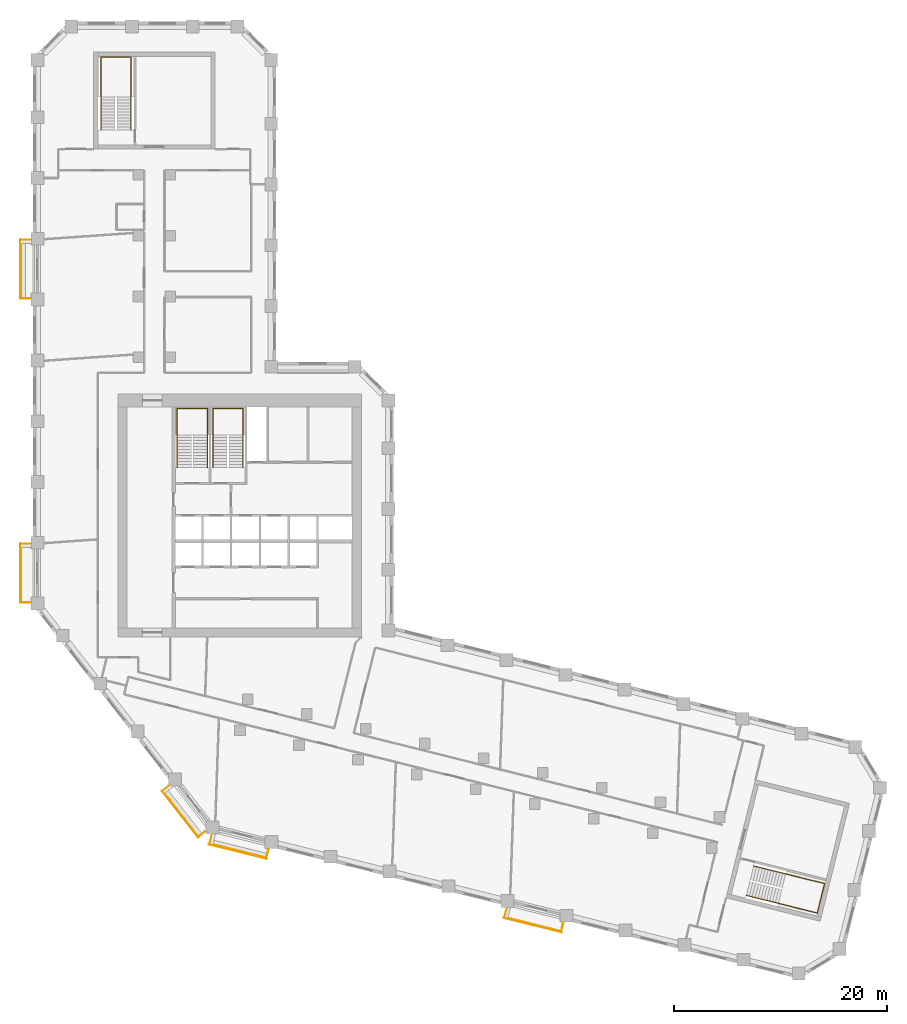
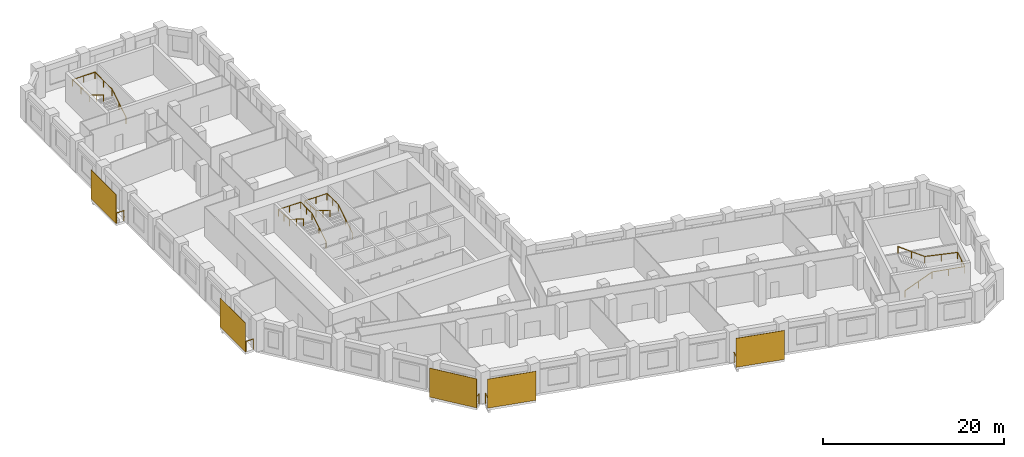
# One storey, part 10 of 10: 9 railings, 5 shading devices.
"""IFC4 building model written with IfcOpenShell, lengths in metres."""

from ifc_helpers import new_model, si_unit, direction, frame, origin, origin_2d, place, context, subcontext, project, spatial, rectangle, circle, extrude, material, layer, layer_set, type_object, element, save


model = new_model("IFC4")

# Units and contexts
model_context = context("Model", 3, precision=1e-05, world=origin(), true_north=direction((0.0, 1.0)))
body_context = subcontext(model_context, "Body", "Model", "MODEL_VIEW")
ifc_project = project(units=[si_unit("LENGTHUNIT", "METRE"), si_unit("AREAUNIT", "SQUARE_METRE"), si_unit("VOLUMEUNIT", "CUBIC_METRE"), si_unit("PLANEANGLEUNIT", "RADIAN"), si_unit("MASSUNIT", "GRAM", prefix="KILO")], contexts=[model_context])

# Site, building, storey
site_placement = place(None, origin())
site = spatial("IfcSite", under=ifc_project, at=site_placement, CompositionType="ELEMENT")
building_placement = place(site_placement, origin())
building = spatial("IfcBuilding", under=site, at=building_placement, Name="Meshkara Civic Tower", CompositionType="ELEMENT")
storey_placement = place(building_placement, frame((0.0, 0.0, 169.800048828125)))
storey = spatial("IfcBuildingStorey", under=building, at=storey_placement, Name="L38", CompositionType="ELEMENT", Elevation=169.800048828125)

# Railings
ifc_material_1 = material(Name="Steel S355", Category="steel")
railing_type_1 = type_object("IfcRailingType", Name="BALUSTRADE GUARD 1400", PredefinedType="BALUSTRADE", material=ifc_material_1)
for number, where, name in (
    (1, (-0.14990234375, 51.3349609375, 0.0), "Balcony guard"),
    (2, (-0.14990234375, 22.8349609375, 0.0), "Balcony guard"),
):
    element("IfcRailing", number, at=place(storey_placement, frame(where)), inside=storey, type_object=railing_type_1, Name=name, PredefinedType="BALUSTRADE", context=body_context, shape_type="SweptSolid", body=[
        extrude(circle(Radius=0.02392578125, at=origin_2d()), frame((0.0, 0.0, 1.3759765625), z_axis=(-1.0, 0.0, 0.0), x_axis=(0.0, -1.0, 0.0)), (0.0, 0.0, 1.0), 0.960205078125),
        extrude(circle(Radius=0.02392578125, at=origin_2d()), frame((-0.960205078125, 0.0, 1.3759765625), z_axis=(0.0, -1.0, 0.0), x_axis=(1.0, 0.0, 0.0)), (0.0, 0.0, 1.0), 5.4599609375),
        extrude(circle(Radius=0.02392578125, at=origin_2d()), frame((-0.960205078125, -5.4599609375, 1.3759765625), z_axis=(1.0, 0.0, 0.0), x_axis=(0.0, 1.0, 0.0)), (0.0, 0.0, 1.0), 0.960205078125),
        extrude(circle(Radius=0.02099609375, at=origin_2d()), origin(), (0.0, 0.0, 1.0), 1.351806640625),
        extrude(circle(Radius=0.02099609375, at=origin_2d()), frame((-0.960205078125, 0.0, 0.0)), (0.0, 0.0, 1.0), 1.351806640625),
        extrude(circle(Radius=0.02099609375, at=origin_2d()), frame((-0.960205078125, -1.092041015625, 0.0)), (0.0, 0.0, 1.0), 1.351806640625),
        extrude(circle(Radius=0.02099609375, at=origin_2d()), frame((-0.960205078125, -2.18408203125, 0.0)), (0.0, 0.0, 1.0), 1.351806640625),
        extrude(circle(Radius=0.02099609375, at=origin_2d()), frame((-0.960205078125, -3.27587890625, 0.0)), (0.0, 0.0, 1.0), 1.351806640625),
        extrude(circle(Radius=0.02099609375, at=origin_2d()), frame((-0.960205078125, -4.367919921875, 0.0)), (0.0, 0.0, 1.0), 1.351806640625),
        extrude(circle(Radius=0.02099609375, at=origin_2d()), frame((-0.960205078125, -5.4599609375, 0.0)), (0.0, 0.0, 1.0), 1.351806640625),
        extrude(circle(Radius=0.02099609375, at=origin_2d()), frame((0.0, -5.4599609375, 0.0)), (0.0, 0.0, 1.0), 1.351806640625),
    ])
railing_1_placement = place(storey_placement, frame((12.751953125, 0.14111328125, 0.0)))
element("IfcRailing", 3, at=railing_1_placement, inside=storey, type_object=railing_type_1, Name="Balcony guard", PredefinedType="BALUSTRADE", context=body_context, shape_type="SweptSolid", body=[
    extrude(circle(Radius=0.02392578125, at=origin_2d()), frame((0.0, 0.0, 1.3759765625), z_axis=(-0.788014065721, -0.615657235989, 0.0), x_axis=(0.615657235989, -0.788014065721, 0.0)), (0.0, 0.0, 1.0), 0.71826171875),
    extrude(circle(Radius=0.02392578125, at=origin_2d()), frame((-0.56591796875, -0.442138671875, 1.3759765625), z_axis=(0.615684818606, -0.787992515281, 0.0), x_axis=(0.787992515281, 0.615684818606, 0.0)), (0.0, 0.0, 1.0), 5.460693359375),
    extrude(circle(Radius=0.02392578125, at=origin_2d()), frame((2.796142578125, -4.7451171875, 1.3759765625), z_axis=(0.788178999613, 0.615446069586, 0.0), x_axis=(-0.615446069586, 0.788178999613, 0.0)), (0.0, 0.0, 1.0), 0.718017578125),
    extrude(circle(Radius=0.02099609375, at=origin_2d()), origin(), (0.0, 0.0, 1.0), 1.351806640625),
    extrude(circle(Radius=0.02099609375, at=origin_2d()), frame((-0.56591796875, -0.442138671875, 0.0)), (0.0, 0.0, 1.0), 1.351806640625),
    extrude(circle(Radius=0.02099609375, at=origin_2d()), frame((0.1064453125, -1.302734375, 0.0)), (0.0, 0.0, 1.0), 1.351806640625),
    extrude(circle(Radius=0.02099609375, at=origin_2d()), frame((0.77880859375, -2.163330078125, 0.0)), (0.0, 0.0, 1.0), 1.351806640625),
    extrude(circle(Radius=0.02099609375, at=origin_2d()), frame((1.451416015625, -3.02392578125, 0.0)), (0.0, 0.0, 1.0), 1.351806640625),
    extrude(circle(Radius=0.02099609375, at=origin_2d()), frame((2.123779296875, -3.884521484375, 0.0)), (0.0, 0.0, 1.0), 1.351806640625),
    extrude(circle(Radius=0.02099609375, at=origin_2d()), frame((2.796142578125, -4.7451171875, 0.0)), (0.0, 0.0, 1.0), 1.351806640625),
    extrude(circle(Radius=0.02099609375, at=origin_2d()), frame((3.362060546875, -4.30322265625, 0.0)), (0.0, 0.0, 1.0), 1.351806640625),
])
railing_2_placement = place(storey_placement, frame((16.7919921875, -4.472900390625, 0.0)))
element("IfcRailing", 4, at=railing_2_placement, inside=storey, type_object=railing_type_1, Name="Balcony guard", PredefinedType="BALUSTRADE", context=body_context, shape_type="SweptSolid", body=[
    extrude(circle(Radius=0.02392578125, at=origin_2d()), frame((0.0, 0.0, 1.3759765625), z_axis=(-0.242397690902, -0.970176973261, 0.0), x_axis=(0.970176973261, -0.242397690902, 0.0)), (0.0, 0.0, 1.0), 0.8330078125),
    extrude(circle(Radius=0.02392578125, at=origin_2d()), frame((-0.201904296875, -0.80810546875, 1.3759765625), z_axis=(0.9703315887, -0.241778013829, 0.0), x_axis=(0.241778013829, 0.9703315887, 0.0)), (0.0, 0.0, 1.0), 5.459716796875),
    extrude(circle(Radius=0.02392578125, at=origin_2d()), frame((5.095947265625, -2.128173828125, 1.3759765625), z_axis=(0.242673544463, 0.970108009872, 0.0), x_axis=(-0.970108009872, 0.242673544463, 0.0)), (0.0, 0.0, 1.0), 0.8330078125),
    extrude(circle(Radius=0.02099609375, at=origin_2d()), origin(), (0.0, 0.0, 1.0), 1.351806640625),
    extrude(circle(Radius=0.02099609375, at=origin_2d()), frame((-0.201904296875, -0.80810546875, 0.0)), (0.0, 0.0, 1.0), 1.351806640625),
    extrude(circle(Radius=0.02099609375, at=origin_2d()), frame((0.857666015625, -1.072021484375, 0.0)), (0.0, 0.0, 1.0), 1.351806640625),
    extrude(circle(Radius=0.02099609375, at=origin_2d()), frame((1.917236328125, -1.336181640625, 0.0)), (0.0, 0.0, 1.0), 1.351806640625),
    extrude(circle(Radius=0.02099609375, at=origin_2d()), frame((2.976806640625, -1.60009765625, 0.0)), (0.0, 0.0, 1.0), 1.351806640625),
    extrude(circle(Radius=0.02099609375, at=origin_2d()), frame((4.036376953125, -1.8642578125, 0.0)), (0.0, 0.0, 1.0), 1.351806640625),
    extrude(circle(Radius=0.02099609375, at=origin_2d()), frame((5.095947265625, -2.128173828125, 0.0)), (0.0, 0.0, 1.0), 1.351806640625),
    extrude(circle(Radius=0.02099609375, at=origin_2d()), frame((5.298095703125, -1.320068359375, 0.0)), (0.0, 0.0, 1.0), 1.351806640625),
])
railing_3_placement = place(storey_placement, frame((44.445068359375, -11.366943359375, 0.0)))
element("IfcRailing", 5, at=railing_3_placement, inside=storey, type_object=railing_type_1, Name="Balcony guard", PredefinedType="BALUSTRADE", context=body_context, shape_type="SweptSolid", body=[
    extrude(circle(Radius=0.02392578125, at=origin_2d()), frame((0.0, 0.0, 1.3759765625), z_axis=(-0.241569777604, -0.970383451296, 0.0), x_axis=(0.970383451296, -0.241569777604, 0.0)), (0.0, 0.0, 1.0), 0.832763671875),
    extrude(circle(Radius=0.02392578125, at=origin_2d()), frame((-0.201171875, -0.80810546875, 1.3759765625), z_axis=(0.970281759871, -0.241977904902, 0.0), x_axis=(0.241977904902, 0.970281759871, 0.0)), (0.0, 0.0, 1.0), 5.45947265625),
    extrude(circle(Radius=0.02392578125, at=origin_2d()), frame((5.095947265625, -2.129150390625, 1.3759765625), z_axis=(0.242397690902, 0.970176973261, 0.0), x_axis=(-0.970176973261, 0.242397690902, 0.0)), (0.0, 0.0, 1.0), 0.8330078125),
    extrude(circle(Radius=0.02099609375, at=origin_2d()), origin(), (0.0, 0.0, 1.0), 1.351806640625),
    extrude(circle(Radius=0.02099609375, at=origin_2d()), frame((-0.201171875, -0.80810546875, 0.0)), (0.0, 0.0, 1.0), 1.351806640625),
    extrude(circle(Radius=0.02099609375, at=origin_2d()), frame((0.858154296875, -1.072265625, 0.0)), (0.0, 0.0, 1.0), 1.351806640625),
    extrude(circle(Radius=0.02099609375, at=origin_2d()), frame((1.917724609375, -1.33642578125, 0.0)), (0.0, 0.0, 1.0), 1.351806640625),
    extrude(circle(Radius=0.02099609375, at=origin_2d()), frame((2.97705078125, -1.600830078125, 0.0)), (0.0, 0.0, 1.0), 1.351806640625),
    extrude(circle(Radius=0.02099609375, at=origin_2d()), frame((4.03662109375, -1.864990234375, 0.0)), (0.0, 0.0, 1.0), 1.351806640625),
    extrude(circle(Radius=0.02099609375, at=origin_2d()), frame((5.095947265625, -2.129150390625, 0.0)), (0.0, 0.0, 1.0), 1.351806640625),
    extrude(circle(Radius=0.02099609375, at=origin_2d()), frame((5.2978515625, -1.321044921875, 0.0)), (0.0, 0.0, 1.0), 1.351806640625),
])

# Shading devices
ifc_material_2 = material(Name="Perforated bronze anodised aluminium sheet", Category="aluminium")
ifc_layer = layer(ifc_material_2, 0.0400390625)
ifc_layer_set = layer_set([ifc_layer], Name="PERFORATED BRONZE SCREEN")
shading_device_type = type_object("IfcShadingDeviceType", Name="PERFORATED BRONZE SCREEN", PredefinedType="USERDEFINED", material=ifc_layer_set)
for number, where, z_axis, x_axis, name in (
    (6, (-1.179931640625, 48.60498046875, 0.0), (0.0, 0.0, 1.0), (0.0, -1.0, 0.0), "Balcony screen"),
    (7, (-1.179931640625, 20.10498046875, 0.0), (0.0, 0.0, 1.0), (0.0, -1.0, 0.0), "Balcony screen"),
    (8, (13.81201171875, -2.4951171875, 0.0), (0.0, 0.0, 1.0), (0.615661475326, -0.788010753607, 0.0), "Balcony screen"),
    (9, (19.221923828125, -6.009033203125, 0.0), (0.0, 0.0, 1.0), (0.970299948462, -0.241904960708, 0.0), "Balcony screen"),
):
    element("IfcShadingDevice", number, at=place(storey_placement, frame(where, z_axis=z_axis, x_axis=x_axis)), inside=storey, type_object=shading_device_type, Name=name, ObjectType="SCREEN", PredefinedType="USERDEFINED", context=body_context, shape_type="SweptSolid", body=[
        extrude(rectangle(XDim=5.580078125, YDim=0.0400390625, at=origin_2d()), origin(), (0.0, 0.0, 1.0), 3.89990234375),
    ])
shading_device_placement = place(storey_placement, frame((46.8759765625, -12.903076171875, 0.0), z_axis=(0.0, 0.0, 1.0), x_axis=(0.970299948462, -0.241904960708, 0.0)))
element("IfcShadingDevice", 10, at=shading_device_placement, inside=storey, type_object=shading_device_type, Name="Balcony screen", ObjectType="SCREEN", PredefinedType="USERDEFINED", context=body_context, shape_type="SweptSolid", body=[
    extrude(rectangle(XDim=5.5791015625, YDim=0.0400390625, at=origin_2d()), origin(), (0.0, 0.0, 1.0), 3.89990234375),
])

# Railings
ifc_material_3 = material(Name="Steel handrail", Category="steel")
railing_type_2 = type_object("IfcRailingType", Name="Stair handrail 900", PredefinedType="HANDRAIL", material=ifc_material_3)
railing_4_placement = place(storey_placement, frame((16.375, 30.0, 0.175048828125)))
element("IfcRailing", 11, at=railing_4_placement, inside=storey, type_object=railing_type_2, Name="L38 ST1 stair handrail 1", PredefinedType="HANDRAIL", context=body_context, shape_type="SweptSolid", body=[
    extrude(circle(Radius=0.02392578125, at=origin_2d()), frame((0.0, 0.0, 0.8759765625), z_axis=(0.0, 0.848028513186, 0.529950602248), x_axis=(-1.0, 0.0, 0.0)), (0.0, 0.0, 1.0), 3.632080078125),
    extrude(circle(Radius=0.02392578125, at=origin_2d()), frame((0.0, 3.080078125, 2.80078125), z_axis=(0.0, 1.0, 0.0), x_axis=(-1.0, 0.0, 0.0)), (0.0, 0.0, 1.0), 2.469970703125),
    extrude(circle(Radius=0.02392578125, at=origin_2d()), frame((0.0, 5.550048828125, 2.80078125), z_axis=(-1.0, 0.0, 0.0), x_axis=(0.0, -1.0, 0.0)), (0.0, 0.0, 1.0), 2.85009765625),
    extrude(circle(Radius=0.02392578125, at=origin_2d()), frame((-2.85009765625, 5.550048828125, 2.80078125), z_axis=(0.0, -0.997498084828, 0.070693498747), x_axis=(1.0, 0.0, 0.0)), (0.0, 0.0, 1.0), 2.47607421875),
    extrude(circle(Radius=0.02392578125, at=origin_2d()), frame((-2.85009765625, 3.080078125, 2.9755859375), z_axis=(0.0, -0.847998304005, 0.529998940003), x_axis=(1.0, 0.0, 0.0)), (0.0, 0.0, 1.0), 3.632080078125),
    extrude(circle(Radius=0.02099609375, at=origin_2d()), origin(), (0.0, 0.0, 1.0), 0.851806640625),
    extrude(circle(Radius=0.02099609375, at=origin_2d()), frame((0.0, 1.5400390625, 0.96240234375)), (0.0, 0.0, 1.0), 0.851806640625),
    extrude(circle(Radius=0.02099609375, at=origin_2d()), frame((0.0, 3.080078125, 1.9248046875)), (0.0, 0.0, 1.0), 0.851806640625),
    extrude(circle(Radius=0.02099609375, at=origin_2d()), frame((0.0, 4.31494140625, 1.9248046875)), (0.0, 0.0, 1.0), 0.851806640625),
    extrude(circle(Radius=0.02099609375, at=origin_2d()), frame((0.0, 5.550048828125, 1.9248046875)), (0.0, 0.0, 1.0), 0.851806640625),
    extrude(circle(Radius=0.02099609375, at=origin_2d()), frame((-1.425048828125, 5.550048828125, 1.9248046875)), (0.0, 0.0, 1.0), 0.851806640625),
    extrude(circle(Radius=0.02099609375, at=origin_2d()), frame((-2.85009765625, 5.550048828125, 1.9248046875)), (0.0, 0.0, 1.0), 0.851806640625),
    extrude(circle(Radius=0.02099609375, at=origin_2d()), frame((-2.85009765625, 4.31494140625, 2.01220703125)), (0.0, 0.0, 1.0), 0.851806640625),
    extrude(circle(Radius=0.02099609375, at=origin_2d()), frame((-2.85009765625, 3.080078125, 2.099853515625)), (0.0, 0.0, 1.0), 0.851806640625),
    extrude(circle(Radius=0.02099609375, at=origin_2d()), frame((-2.85009765625, 1.5400390625, 3.0625)), (0.0, 0.0, 1.0), 0.851806640625),
    extrude(circle(Radius=0.02099609375, at=origin_2d()), frame((-2.85009765625, 0.0, 4.02490234375)), (0.0, 0.0, 1.0), 0.851806640625),
])
railing_5_placement = place(storey_placement, frame((19.72509765625, 30.0, 0.175048828125)))
element("IfcRailing", 12, at=railing_5_placement, inside=storey, type_object=railing_type_2, Name="L38 ST2 stair handrail 1", PredefinedType="HANDRAIL", context=body_context, shape_type="SweptSolid", body=[
    extrude(circle(Radius=0.02392578125, at=origin_2d()), frame((0.0, 0.0, 0.8759765625), z_axis=(0.0, 0.848028513186, 0.529950602248), x_axis=(-1.0, 0.0, 0.0)), (0.0, 0.0, 1.0), 3.632080078125),
    extrude(circle(Radius=0.02392578125, at=origin_2d()), frame((0.0, 3.080078125, 2.80078125), z_axis=(0.0, 1.0, 0.0), x_axis=(-1.0, 0.0, 0.0)), (0.0, 0.0, 1.0), 2.469970703125),
    extrude(circle(Radius=0.02392578125, at=origin_2d()), frame((0.0, 5.550048828125, 2.80078125), z_axis=(-1.0, 0.0, 0.0), x_axis=(0.0, -1.0, 0.0)), (0.0, 0.0, 1.0), 2.85009765625),
    extrude(circle(Radius=0.02392578125, at=origin_2d()), frame((-2.85009765625, 5.550048828125, 2.80078125), z_axis=(0.0, -0.997498084828, 0.070693498747), x_axis=(1.0, 0.0, 0.0)), (0.0, 0.0, 1.0), 2.47607421875),
    extrude(circle(Radius=0.02392578125, at=origin_2d()), frame((-2.85009765625, 3.080078125, 2.9755859375), z_axis=(0.0, -0.847998304005, 0.529998940003), x_axis=(1.0, 0.0, 0.0)), (0.0, 0.0, 1.0), 3.632080078125),
    extrude(circle(Radius=0.02099609375, at=origin_2d()), origin(), (0.0, 0.0, 1.0), 0.851806640625),
    extrude(circle(Radius=0.02099609375, at=origin_2d()), frame((0.0, 1.5400390625, 0.96240234375)), (0.0, 0.0, 1.0), 0.851806640625),
    extrude(circle(Radius=0.02099609375, at=origin_2d()), frame((0.0, 3.080078125, 1.9248046875)), (0.0, 0.0, 1.0), 0.851806640625),
    extrude(circle(Radius=0.02099609375, at=origin_2d()), frame((0.0, 4.31494140625, 1.9248046875)), (0.0, 0.0, 1.0), 0.851806640625),
    extrude(circle(Radius=0.02099609375, at=origin_2d()), frame((0.0, 5.550048828125, 1.9248046875)), (0.0, 0.0, 1.0), 0.851806640625),
    extrude(circle(Radius=0.02099609375, at=origin_2d()), frame((-1.425048828125, 5.550048828125, 1.9248046875)), (0.0, 0.0, 1.0), 0.851806640625),
    extrude(circle(Radius=0.02099609375, at=origin_2d()), frame((-2.85009765625, 5.550048828125, 1.9248046875)), (0.0, 0.0, 1.0), 0.851806640625),
    extrude(circle(Radius=0.02099609375, at=origin_2d()), frame((-2.85009765625, 4.31494140625, 2.01220703125)), (0.0, 0.0, 1.0), 0.851806640625),
    extrude(circle(Radius=0.02099609375, at=origin_2d()), frame((-2.85009765625, 3.080078125, 2.099853515625)), (0.0, 0.0, 1.0), 0.851806640625),
    extrude(circle(Radius=0.02099609375, at=origin_2d()), frame((-2.85009765625, 1.5400390625, 3.0625)), (0.0, 0.0, 1.0), 0.851806640625),
    extrude(circle(Radius=0.02099609375, at=origin_2d()), frame((-2.85009765625, 0.0, 4.02490234375)), (0.0, 0.0, 1.0), 0.851806640625),
])
railing_6_placement = place(storey_placement, frame((9.22509765625, 61.669921875, 0.175048828125)))
element("IfcRailing", 13, at=railing_6_placement, inside=storey, type_object=railing_type_2, Name="L38 ESA3 stair handrail 1", PredefinedType="HANDRAIL", context=body_context, shape_type="SweptSolid", body=[
    extrude(circle(Radius=0.02392578125, at=origin_2d()), frame((0.0, 0.0, 0.8759765625), z_axis=(0.0, 0.848028513186, 0.529950602248), x_axis=(-1.0, 0.0, 0.0)), (0.0, 0.0, 1.0), 3.632080078125),
    extrude(circle(Radius=0.02392578125, at=origin_2d()), frame((0.0, 3.080078125, 2.80078125), z_axis=(0.0, 1.0, 0.0), x_axis=(-1.0, 0.0, 0.0)), (0.0, 0.0, 1.0), 3.77001953125),
    extrude(circle(Radius=0.02392578125, at=origin_2d()), frame((0.0, 6.85009765625, 2.80078125), z_axis=(-1.0, 0.0, 0.0), x_axis=(0.0, -1.0, 0.0)), (0.0, 0.0, 1.0), 2.85009765625),
    extrude(circle(Radius=0.02392578125, at=origin_2d()), frame((-2.85009765625, 6.85009765625, 2.80078125), z_axis=(0.0, -0.9989237834, 0.046381838667), x_axis=(1.0, 0.0, 0.0)), (0.0, 0.0, 1.0), 3.774169921875),
    extrude(circle(Radius=0.02392578125, at=origin_2d()), frame((-2.85009765625, 3.080078125, 2.9755859375), z_axis=(0.0, -0.847998304005, 0.529998940003), x_axis=(1.0, 0.0, 0.0)), (0.0, 0.0, 1.0), 3.632080078125),
    extrude(circle(Radius=0.02099609375, at=origin_2d()), origin(), (0.0, 0.0, 1.0), 0.851806640625),
    extrude(circle(Radius=0.02099609375, at=origin_2d()), frame((0.0, 1.5400390625, 0.96240234375)), (0.0, 0.0, 1.0), 0.851806640625),
    extrude(circle(Radius=0.02099609375, at=origin_2d()), frame((0.0, 3.080078125, 1.9248046875)), (0.0, 0.0, 1.0), 0.851806640625),
    extrude(circle(Radius=0.02099609375, at=origin_2d()), frame((0.0, 4.965087890625, 1.9248046875)), (0.0, 0.0, 1.0), 0.851806640625),
    extrude(circle(Radius=0.02099609375, at=origin_2d()), frame((0.0, 6.85009765625, 1.9248046875)), (0.0, 0.0, 1.0), 0.851806640625),
    extrude(circle(Radius=0.02099609375, at=origin_2d()), frame((-1.425048828125, 6.85009765625, 1.9248046875)), (0.0, 0.0, 1.0), 0.851806640625),
    extrude(circle(Radius=0.02099609375, at=origin_2d()), frame((-2.85009765625, 6.85009765625, 1.9248046875)), (0.0, 0.0, 1.0), 0.851806640625),
    extrude(circle(Radius=0.02099609375, at=origin_2d()), frame((-2.85009765625, 4.965087890625, 2.01220703125)), (0.0, 0.0, 1.0), 0.851806640625),
    extrude(circle(Radius=0.02099609375, at=origin_2d()), frame((-2.85009765625, 3.080078125, 2.099853515625)), (0.0, 0.0, 1.0), 0.851806640625),
    extrude(circle(Radius=0.02099609375, at=origin_2d()), frame((-2.85009765625, 1.5400390625, 3.0625)), (0.0, 0.0, 1.0), 0.851806640625),
    extrude(circle(Radius=0.02099609375, at=origin_2d()), frame((-2.85009765625, 0.0, 4.02490234375)), (0.0, 0.0, 1.0), 0.851806640625),
])
railing_7_placement = place(storey_placement, frame((66.910888671875, -10.1123046875, 0.175048828125)))
element("IfcRailing", 14, at=railing_7_placement, inside=storey, type_object=railing_type_2, Name="L38 ESB3 stair handrail 1", PredefinedType="HANDRAIL", context=body_context, shape_type="SweptSolid", body=[
    extrude(circle(Radius=0.02392578125, at=origin_2d()), frame((0.0, 0.0, 0.8759765625), z_axis=(0.822845324611, -0.205089542144, 0.529965896515), x_axis=(0.241845469214, 0.970314778317, 0.0)), (0.0, 0.0, 1.0), 3.6318359375),
    extrude(circle(Radius=0.02392578125, at=origin_2d()), frame((2.988525390625, -0.744873046875, 2.80078125), z_axis=(0.970325068916, -0.241804178279, 0.0), x_axis=(0.241804178279, 0.970325068916, 0.0)), (0.0, 0.0, 1.0), 3.77001953125),
    extrude(circle(Radius=0.02392578125, at=origin_2d()), frame((6.646728515625, -1.656494140625, 2.80078125), z_axis=(0.24183009087, 0.970318611153, 0.0), x_axis=(-0.970318611153, 0.24183009087, 0.0)), (0.0, 0.0, 1.0), 2.849853515625),
    extrude(circle(Radius=0.02392578125, at=origin_2d()), frame((7.3359375, 1.10888671875, 2.80078125), z_axis=(-0.969280822407, 0.241543952941, 0.046381096481), x_axis=(-0.241804178279, -0.970325068916, 0.0)), (0.0, 0.0, 1.0), 3.774169921875),
    extrude(circle(Radius=0.02392578125, at=origin_2d()), frame((3.677734375, 2.0205078125, 2.9755859375), z_axis=(-0.822816010835, 0.205082235851, 0.530014234575), x_axis=(-0.241845469214, -0.970314778317, 0.0)), (0.0, 0.0, 1.0), 3.632080078125),
    extrude(circle(Radius=0.02099609375, at=origin_2d()), origin(), (0.0, 0.0, 1.0), 0.851806640625),
    extrude(circle(Radius=0.02099609375, at=origin_2d()), frame((1.494140625, -0.37255859375, 0.96240234375)), (0.0, 0.0, 1.0), 0.851806640625),
    extrude(circle(Radius=0.02099609375, at=origin_2d()), frame((2.988525390625, -0.744873046875, 1.9248046875)), (0.0, 0.0, 1.0), 0.851806640625),
    extrude(circle(Radius=0.02099609375, at=origin_2d()), frame((4.817626953125, -1.20068359375, 1.9248046875)), (0.0, 0.0, 1.0), 0.851806640625),
    extrude(circle(Radius=0.02099609375, at=origin_2d()), frame((6.646728515625, -1.656494140625, 1.9248046875)), (0.0, 0.0, 1.0), 0.851806640625),
    extrude(circle(Radius=0.02099609375, at=origin_2d()), frame((6.9912109375, -0.27392578125, 1.9248046875)), (0.0, 0.0, 1.0), 0.851806640625),
    extrude(circle(Radius=0.02099609375, at=origin_2d()), frame((7.3359375, 1.10888671875, 1.9248046875)), (0.0, 0.0, 1.0), 0.851806640625),
    extrude(circle(Radius=0.02099609375, at=origin_2d()), frame((5.5068359375, 1.564697265625, 2.01220703125)), (0.0, 0.0, 1.0), 0.851806640625),
    extrude(circle(Radius=0.02099609375, at=origin_2d()), frame((3.677734375, 2.0205078125, 2.099853515625)), (0.0, 0.0, 1.0), 0.851806640625),
    extrude(circle(Radius=0.02099609375, at=origin_2d()), frame((2.18359375, 2.39306640625, 3.0625)), (0.0, 0.0, 1.0), 0.851806640625),
    extrude(circle(Radius=0.02099609375, at=origin_2d()), frame((0.689208984375, 2.765380859375, 4.02490234375)), (0.0, 0.0, 1.0), 0.851806640625),
])

save(model, "model.ifc")
